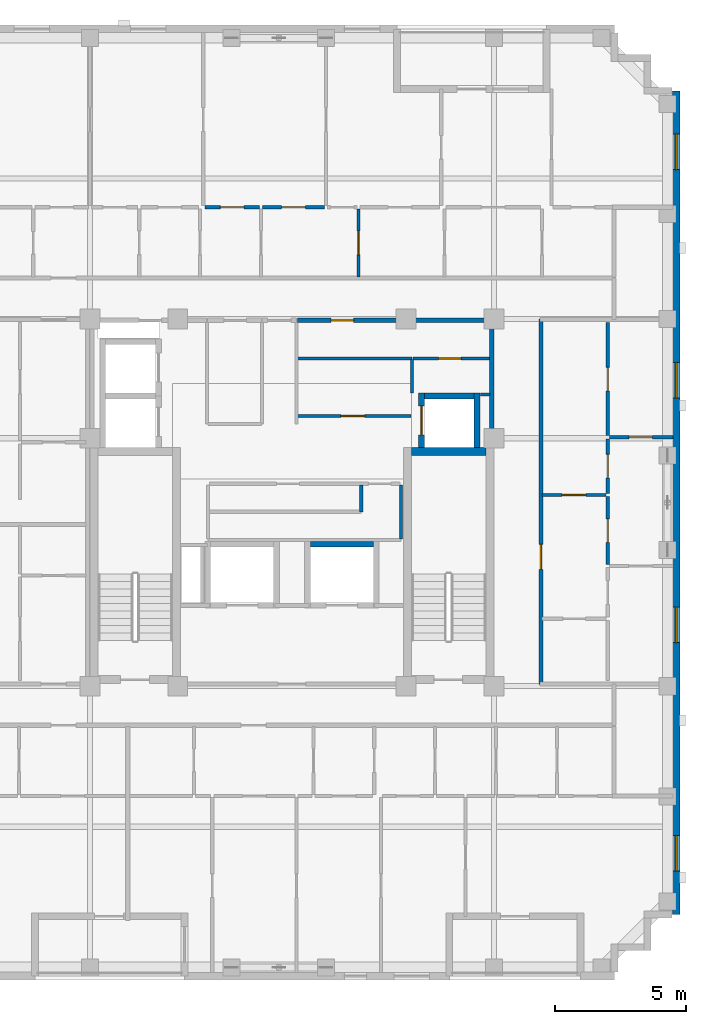
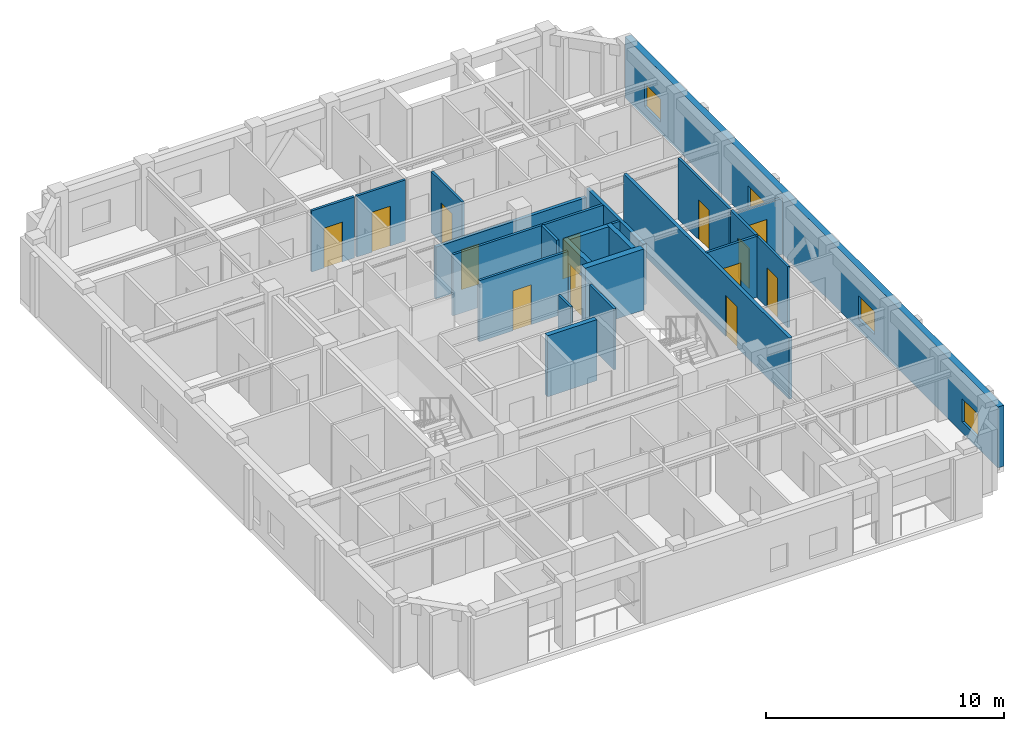
# One storey, part 6 of 11: 24 walls, 13 doors, 4 windows, 17 openings.
"""IFC4 building model written with IfcOpenShell, lengths in metres."""

from ifc_helpers import new_model, si_unit, derived_unit, direction, frame, frame_2d, origin, place, context, subcontext, project, spatial, rectangle, extrude, material, layer, layer_set, type_object, element, fill, save


model = new_model("IFC4")

# Units and contexts
model_context = context("Model", 3, precision=1e-05, world=origin(), true_north=direction((0.0, 1.0)))
body_context = subcontext(model_context, "Body", "Model", "MODEL_VIEW")
ifc_project = project(units=[si_unit("LENGTHUNIT", "METRE"), si_unit("AREAUNIT", "SQUARE_METRE"), si_unit("VOLUMEUNIT", "CUBIC_METRE"), si_unit("PLANEANGLEUNIT", "RADIAN"), si_unit("MASSUNIT", "GRAM", prefix="KILO"), derived_unit("THERMALTRANSMITTANCEUNIT", [(si_unit("MASSUNIT", "GRAM", prefix="KILO"), 1), (si_unit("TIMEUNIT", "SECOND"), -3), (si_unit("THERMODYNAMICTEMPERATUREUNIT", "KELVIN"), -1)])], contexts=[model_context])

# Site, building, storey
site_placement = place(None, origin())
site = spatial("IfcSite", under=ifc_project, at=site_placement, CompositionType="ELEMENT")
building_placement = place(site_placement, origin())
building = spatial("IfcBuilding", under=site, at=building_placement, Name="Korrvale Station Residences", CompositionType="ELEMENT")
storey_placement = place(building_placement, frame((0.0, 0.0, 241.10009765625)))
storey = spatial("IfcBuildingStorey", under=building, at=storey_placement, Name="L70", CompositionType="ELEMENT", Elevation=241.10009765625)

# Wall
ifc_material_1 = material(Name="Concrete C50/60", Category="concrete")
ifc_layer_1 = layer(ifc_material_1, 0.300048828125, Name="Concrete C50/60")
ifc_layer_set_1 = layer_set([ifc_layer_1], Name="Concrete C50/60")
wall_type_1 = type_object("IfcWallType", Name="WAL-CORE-300-C50", PredefinedType="SHEAR", material=ifc_layer_set_1)
wall_1_placement = place(storey_placement, frame((30.050048828125, 23.949951171875, 0.0), z_axis=(0.0, 0.0, 1.0), x_axis=(1.0, 0.0, 0.0)))
element("IfcWall", 1, at=wall_1_placement, inside=storey, type_object=wall_type_1, Name="L70 ST-2 Core Shear Wall North", PredefinedType="SHEAR", context=body_context, shape_type="SweptSolid", body=[
    extrude(rectangle(XDim=2.849853515625, YDim=0.300048828125, at=frame_2d((1.4248046875, 0.0))), origin(), (0.0, 0.0, 1.0), 3.139892578125),
])

# Wall, openings, windows
ifc_material_2 = material(Name="Precast concrete C45/55", Category="concrete")
ifc_layer_2 = layer(ifc_material_2, 0.300048828125, Name="Precast concrete C45/55")
ifc_layer_set_2 = layer_set([ifc_layer_2], Name="Precast concrete C45/55")
wall_type_2 = type_object("IfcWallType", Name="WAL-EXT-PC300", PredefinedType="SOLIDWALL", material=ifc_layer_set_2)
wall_2_placement = place(storey_placement, frame((40.14990234375, 37.699951171875, 0.0), z_axis=(0.0, 0.0, 1.0), x_axis=(0.0, -1.0, 0.0)))
wall_2 = element("IfcWall", 2, at=wall_2_placement, inside=storey, type_object=wall_type_2, Name="L70 East Exterior Precast Wall 1", PredefinedType="SOLIDWALL", context=body_context, shape_type="SweptSolid", body=[
    extrude(rectangle(XDim=31.39990234375, YDim=0.300048828125, at=frame_2d((15.699951171875, 0.0))), origin(), (0.0, 0.0, 1.0), 3.139892578125),
])
opening_1_placement = place(wall_2_placement, frame((28.39599609375, 0.0, 0.550048828125)))
opening_1 = element("IfcOpeningElement", 3, at=opening_1_placement, cuts=wall_2, Name="Opening W-10", PredefinedType="OPENING", context=body_context, shape_type="SweptSolid", body=[
    extrude(rectangle(XDim=1.35009765625, YDim=1.199951171875, at=frame_2d((0.675048828125, 0.60009765625))), frame((0.0, 0.16015625, 0.0), z_axis=(0.0, -1.0, 0.0), x_axis=(1.0, 0.0, 0.0)), (0.0, 0.0, 1.0), 0.320068359375),
])
opening_2_placement = place(wall_2_placement, frame((1.653076171875, 0.0, 0.550048828125)))
opening_2 = element("IfcOpeningElement", 4, at=opening_2_placement, cuts=wall_2, Name="Opening W-10", PredefinedType="OPENING", context=body_context, shape_type="SweptSolid", body=[
    extrude(rectangle(XDim=1.35009765625, YDim=1.199951171875, at=frame_2d((0.675048828125, 0.60009765625))), frame((0.0, 0.16015625, 0.0), z_axis=(0.0, -1.0, 0.0), x_axis=(1.0, 0.0, 0.0)), (0.0, 0.0, 1.0), 0.320068359375),
])
opening_3_placement = place(wall_2_placement, frame((19.68310546875, 0.0, 0.550048828125)))
opening_3 = element("IfcOpeningElement", 5, at=opening_3_placement, cuts=wall_2, Name="Opening W-10", PredefinedType="OPENING", context=body_context, shape_type="SweptSolid", body=[
    extrude(rectangle(XDim=1.35009765625, YDim=1.199951171875, at=frame_2d((0.675048828125, 0.60009765625))), frame((0.0, 0.16015625, 0.0), z_axis=(0.0, -1.0, 0.0), x_axis=(1.0, 0.0, 0.0)), (0.0, 0.0, 1.0), 0.320068359375),
])
opening_4_placement = place(wall_2_placement, frame((10.366943359375, 0.0, 0.550048828125)))
opening_4 = element("IfcOpeningElement", 6, at=opening_4_placement, cuts=wall_2, Name="Opening W-10", PredefinedType="OPENING", context=body_context, shape_type="SweptSolid", body=[
    extrude(rectangle(XDim=1.35009765625, YDim=1.199951171875, at=frame_2d((0.675048828125, 0.60009765625))), frame((0.0, 0.16015625, 0.0), z_axis=(0.0, -1.0, 0.0), x_axis=(1.0, 0.0, 0.0)), (0.0, 0.0, 1.0), 0.320068359375),
])
ifc_material_3 = material(Name="Thermally broken aluminium frame with triple low-e glazing", Category="aluminium")
window_type = type_object("IfcWindowType", Name="WIN-W10", PartitioningType="SINGLE_PANEL", PredefinedType="WINDOW", material=ifc_material_3)
window_1_placement = place(opening_1_placement, origin())
window_1 = element("IfcWindow", 7, at=window_1_placement, inside=storey, type_object=window_type, Name="L70 Punched Window 05", OverallHeight=1.199951171875, OverallWidth=1.35009765625, PartitioningType="SINGLE_PANEL", PredefinedType="WINDOW", context=body_context, shape_type="SweptSolid", body=[
    extrude(rectangle(XDim=1.35009765625, YDim=1.199951171875, at=frame_2d((0.675048828125, 0.60009765625))), frame((0.0, 0.030029296875, 0.0), z_axis=(0.0, -1.0, 0.0), x_axis=(1.0, 0.0, 0.0)), (0.0, 0.0, 1.0), 0.06005859375),
])
fill(opening_1, window_1)
window_2_placement = place(opening_2_placement, origin())
window_2 = element("IfcWindow", 8, at=window_2_placement, inside=storey, type_object=window_type, Name="L70 Punched Window 10", OverallHeight=1.199951171875, OverallWidth=1.35009765625, PartitioningType="SINGLE_PANEL", PredefinedType="WINDOW", context=body_context, shape_type="SweptSolid", body=[
    extrude(rectangle(XDim=1.35009765625, YDim=1.199951171875, at=frame_2d((0.675048828125, 0.60009765625))), frame((0.0, 0.030029296875, 0.0), z_axis=(0.0, -1.0, 0.0), x_axis=(1.0, 0.0, 0.0)), (0.0, 0.0, 1.0), 0.06005859375),
])
fill(opening_2, window_2)
window_3_placement = place(opening_3_placement, origin())
window_3 = element("IfcWindow", 9, at=window_3_placement, inside=storey, type_object=window_type, Name="L70 Punched Window 15", OverallHeight=1.199951171875, OverallWidth=1.35009765625, PartitioningType="SINGLE_PANEL", PredefinedType="WINDOW", context=body_context, shape_type="SweptSolid", body=[
    extrude(rectangle(XDim=1.35009765625, YDim=1.199951171875, at=frame_2d((0.675048828125, 0.60009765625))), frame((0.0, 0.030029296875, 0.0), z_axis=(0.0, -1.0, 0.0), x_axis=(1.0, 0.0, 0.0)), (0.0, 0.0, 1.0), 0.06005859375),
])
fill(opening_3, window_3)
window_4_placement = place(opening_4_placement, origin())
window_4 = element("IfcWindow", 10, at=window_4_placement, inside=storey, type_object=window_type, Name="L70 Punched Window 16", OverallHeight=1.199951171875, OverallWidth=1.35009765625, PartitioningType="SINGLE_PANEL", PredefinedType="WINDOW", context=body_context, shape_type="SweptSolid", body=[
    extrude(rectangle(XDim=1.35009765625, YDim=1.199951171875, at=frame_2d((0.675048828125, 0.60009765625))), frame((0.0, 0.030029296875, 0.0), z_axis=(0.0, -1.0, 0.0), x_axis=(1.0, 0.0, 0.0)), (0.0, 0.0, 1.0), 0.06005859375),
])
fill(opening_4, window_4)

# Walls
ifc_material_4 = material(Name="Acoustic steel-stud gypsum board partition", Category="steel")
ifc_layer_3 = layer(ifc_material_4, 0.1201171875, Name="Acoustic steel-stud gypsum board partition")
ifc_layer_set_3 = layer_set([ifc_layer_3], Name="Acoustic steel-stud gypsum board partition")
wall_type_3 = type_object("IfcWallType", Name="WAL-PART-125", PredefinedType="PARTITIONING", material=ifc_layer_set_3)
wall_3_placement = place(storey_placement, frame((30.080078125, 26.179931640625, 0.0), z_axis=(0.0, 0.0, 1.0), x_axis=(0.0, 1.0, 0.0)))
element("IfcWall", 11, at=wall_3_placement, inside=storey, type_object=wall_type_3, Name="L70 Core Partition CW-CS-W", PredefinedType="PARTITIONING", context=body_context, shape_type="SweptSolid", body=[
    extrude(rectangle(XDim=1.280029296875, YDim=0.1201171875, at=frame_2d((0.64013671875, 0.0))), origin(), (0.0, 0.0, 1.0), 3.139892578125),
])
wall_4_placement = place(storey_placement, frame((32.679931640625, 26.1201171875, 0.0), z_axis=(0.0, 0.0, 1.0), x_axis=(1.0, 0.0, 0.0)))
element("IfcWall", 12, at=wall_4_placement, inside=storey, type_object=wall_type_3, Name="L70 Core Partition CW-CS-S", PredefinedType="PARTITIONING", context=body_context, shape_type="SweptSolid", body=[
    extrude(rectangle(XDim=0.380126953125, YDim=0.1201171875, at=frame_2d((0.18994140625, 0.0))), origin(), (0.0, 0.0, 1.0), 3.139892578125),
])

# Wall, opening, door
wall_5_placement = place(storey_placement, frame((30.1201171875, 27.5, 0.0), z_axis=(0.0, 0.0, 1.0), x_axis=(1.0, 0.0, 0.0)))
wall_5 = element("IfcWall", 13, at=wall_5_placement, inside=storey, type_object=wall_type_3, Name="L70 Core Partition CW-CS-H", PredefinedType="PARTITIONING", context=body_context, shape_type="SweptSolid", body=[
    extrude(rectangle(XDim=2.919921875, YDim=0.1201171875, at=frame_2d((1.4599609375, 0.0))), origin(), (0.0, 0.0, 1.0), 3.139892578125),
])
opening_5_placement = place(wall_5_placement, frame((0.969970703125, 0.0, 0.0)))
opening_5 = element("IfcOpeningElement", 14, at=opening_5_placement, cuts=wall_5, Name="Opening DB-860", PredefinedType="OPENING", context=body_context, shape_type="SweptSolid", body=[
    extrude(rectangle(XDim=0.860107421875, YDim=2.050048828125, at=frame_2d((0.43017578125, 1.02490234375))), frame((0.0, 0.070068359375, 0.0), z_axis=(0.0, -1.0, 0.0), x_axis=(1.0, 0.0, 0.0)), (0.0, 0.0, 1.0), 0.14013671875),
])
ifc_material_5 = material(Name="Moisture-resistant solid-core bathroom door", Category="timber")
door_type_1 = type_object("IfcDoorType", Name="DR-BATH-860", OperationType="NOTDEFINED", PredefinedType="DOOR", material=ifc_material_5)
door_1_placement = place(opening_5_placement, origin())
door_1 = element("IfcDoor", 15, at=door_1_placement, inside=storey, type_object=door_type_1, Name="L70 Mail Sorting Inner Door", OperationType="SINGLE_SWING_LEFT", OverallHeight=2.050048828125, OverallWidth=0.860107421875, PredefinedType="DOOR", context=body_context, shape_type="SweptSolid", body=[
    extrude(rectangle(XDim=0.860107421875, YDim=2.050048828125, at=frame_2d((0.43017578125, 1.02490234375))), frame((0.0, 0.02490234375, 0.0), z_axis=(0.0, -1.0, 0.0), x_axis=(1.0, 0.0, 0.0)), (0.0, 0.0, 1.0), 0.050048828125),
])
fill(opening_5, door_1)

# Wall
wall_6_placement = place(storey_placement, frame((25.719970703125, 27.5, 0.0), z_axis=(0.0, 0.0, 1.0), x_axis=(1.0, 0.0, 0.0)))
element("IfcWall", 16, at=wall_6_placement, inside=storey, type_object=wall_type_3, Name="L70 Core Partition CW-FPLE-H", PredefinedType="PARTITIONING", context=body_context, shape_type="SweptSolid", body=[
    extrude(rectangle(XDim=4.360107421875, YDim=0.1201171875, at=frame_2d((2.18017578125, 0.0))), origin(), (0.0, 0.0, 1.0), 3.139892578125),
])

# Wall, opening, door
wall_7_placement = place(storey_placement, frame((25.719970703125, 25.300048828125, 0.0), z_axis=(0.0, 0.0, 1.0), x_axis=(1.0, 0.0, 0.0)))
wall_7 = element("IfcWall", 17, at=wall_7_placement, inside=storey, type_object=wall_type_3, Name="L70 Core Partition CW-FPLE-S", PredefinedType="PARTITIONING", context=body_context, shape_type="SweptSolid", body=[
    extrude(rectangle(XDim=4.320068359375, YDim=0.1201171875, at=frame_2d((2.16015625, 0.0))), origin(), (0.0, 0.0, 1.0), 3.139892578125),
])
opening_6_placement = place(wall_7_placement, frame((1.64990234375, 0.0, 0.0)))
opening_6 = element("IfcOpeningElement", 18, at=opening_6_placement, cuts=wall_7, Name="Opening DI-900", PredefinedType="OPENING", context=body_context, shape_type="SweptSolid", body=[
    extrude(rectangle(XDim=0.89990234375, YDim=2.050048828125, at=frame_2d((0.449951171875, 1.02490234375))), frame((0.0, 0.070068359375, 0.0), z_axis=(0.0, -1.0, 0.0), x_axis=(1.0, 0.0, 0.0)), (0.0, 0.0, 1.0), 0.14013671875),
])
ifc_material_6 = material(Name="Painted solid-core timber interior room door", Category="wood")
door_type_2 = type_object("IfcDoorType", Name="DR-INT-900", OperationType="NOTDEFINED", PredefinedType="DOOR", material=ifc_material_6)
door_2_placement = place(opening_6_placement, origin())
door_2 = element("IfcDoor", 19, at=door_2_placement, inside=storey, type_object=door_type_2, Name="L70 Housekeeping Linen Door", OperationType="SINGLE_SWING_LEFT", OverallHeight=2.050048828125, OverallWidth=0.89990234375, PredefinedType="DOOR", context=body_context, shape_type="SweptSolid", body=[
    extrude(rectangle(XDim=0.89990234375, YDim=2.050048828125, at=frame_2d((0.449951171875, 1.02490234375))), frame((0.0, 0.02490234375, 0.0), z_axis=(0.0, -1.0, 0.0), x_axis=(1.0, 0.0, 0.0)), (0.0, 0.0, 1.0), 0.050048828125),
])
fill(opening_6, door_2)

# Walls
wall_8_placement = place(storey_placement, frame((29.659912109375, 20.6201171875, 0.0), z_axis=(0.0, 0.0, 1.0), x_axis=(0.0, 1.0, 0.0)))
element("IfcWall", 20, at=wall_8_placement, inside=storey, type_object=wall_type_3, Name="L70 Core Partition CW-FPM-E", PredefinedType="PARTITIONING", context=body_context, shape_type="SweptSolid", body=[
    extrude(rectangle(XDim=2.059814453125, YDim=0.1201171875, at=frame_2d((1.02978515625, 0.0))), origin(), (0.0, 0.0, 1.0), 3.139892578125),
])
wall_9_placement = place(storey_placement, frame((28.139892578125, 21.64990234375, 0.0), z_axis=(0.0, 0.0, 1.0), x_axis=(0.0, 1.0, 0.0)))
element("IfcWall", 21, at=wall_9_placement, inside=storey, type_object=wall_type_3, Name="L70 Core Partition CW-FPM-V1", PredefinedType="PARTITIONING", context=body_context, shape_type="SweptSolid", body=[
    extrude(rectangle(XDim=1.030029296875, YDim=0.1201171875, at=frame_2d((0.51513671875, 0.0))), origin(), (0.0, 0.0, 1.0), 3.139892578125),
])

# Wall, opening, door
wall_10_placement = place(storey_placement, frame((22.179931640625, 33.260009765625, 0.0), z_axis=(0.0, 0.0, 1.0), x_axis=(1.0, 0.0, 0.0)))
wall_10 = element("IfcWall", 22, at=wall_10_placement, inside=storey, type_object=wall_type_3, Name="L70 Suite Partition U03-H310", PredefinedType="PARTITIONING", context=body_context, shape_type="SweptSolid", body=[
    extrude(rectangle(XDim=2.080078125, YDim=0.1201171875, at=frame_2d((1.0400390625, 0.0))), origin(), (0.0, 0.0, 1.0), 3.139892578125),
])
opening_7_placement = place(wall_10_placement, frame((0.590087890625, 0.0, 0.0)))
opening_7 = element("IfcOpeningElement", 23, at=opening_7_placement, cuts=wall_10, Name="Opening DI-900", PredefinedType="OPENING", context=body_context, shape_type="SweptSolid", body=[
    extrude(rectangle(XDim=0.89990234375, YDim=2.050048828125, at=frame_2d((0.449951171875, 1.02490234375))), frame((0.0, 0.070068359375, 0.0), z_axis=(0.0, -1.0, 0.0), x_axis=(1.0, 0.0, 0.0)), (0.0, 0.0, 1.0), 0.14013671875),
])
door_3_placement = place(opening_7_placement, origin())
door_3 = element("IfcDoor", 24, at=door_3_placement, inside=storey, type_object=door_type_2, Name="L70 Apartment 3BR L70-U03 Wardrobe Storage Room Door", OperationType="SINGLE_SWING_LEFT", OverallHeight=2.050048828125, OverallWidth=0.89990234375, PredefinedType="DOOR", context=body_context, shape_type="SweptSolid", body=[
    extrude(rectangle(XDim=0.89990234375, YDim=2.050048828125, at=frame_2d((0.449951171875, 1.02490234375))), frame((0.0, 0.02490234375, 0.0), z_axis=(0.0, -1.0, 0.0), x_axis=(1.0, 0.0, 0.0)), (0.0, 0.0, 1.0), 0.050048828125),
])
fill(opening_7, door_3)

wall_11_placement = place(storey_placement, frame((28.0400390625, 30.60009765625, 0.0), z_axis=(0.0, 0.0, 1.0), x_axis=(0.0, 1.0, 0.0)))
wall_11 = element("IfcWall", 25, at=wall_11_placement, inside=storey, type_object=wall_type_3, Name="L70 Suite Partition U03-V45", PredefinedType="PARTITIONING", context=body_context, shape_type="SweptSolid", body=[
    extrude(rectangle(XDim=2.599853515625, YDim=0.1201171875, at=frame_2d((1.2998046875, 0.0))), origin(), (0.0, 0.0, 1.0), 3.139892578125),
])
opening_8_placement = place(wall_11_placement, frame((0.85009765625, 0.0, 0.0)))
opening_8 = element("IfcOpeningElement", 26, at=opening_8_placement, cuts=wall_11, Name="Opening DI-900", PredefinedType="OPENING", context=body_context, shape_type="SweptSolid", body=[
    extrude(rectangle(XDim=0.89990234375, YDim=2.050048828125, at=frame_2d((0.449951171875, 1.02490234375))), frame((0.0, 0.070068359375, 0.0), z_axis=(0.0, -1.0, 0.0), x_axis=(1.0, 0.0, 0.0)), (0.0, 0.0, 1.0), 0.14013671875),
])
door_4_placement = place(opening_8_placement, origin())
door_4 = element("IfcDoor", 27, at=door_4_placement, inside=storey, type_object=door_type_2, Name="L70 Apartment 3BR L70-U03 Utility and Laundry Room Door", OperationType="SINGLE_SWING_RIGHT", OverallHeight=2.050048828125, OverallWidth=0.89990234375, PredefinedType="DOOR", context=body_context, shape_type="SweptSolid", body=[
    extrude(rectangle(XDim=0.89990234375, YDim=2.050048828125, at=frame_2d((0.449951171875, 1.02490234375))), frame((0.0, 0.02490234375, 0.0), z_axis=(0.0, -1.0, 0.0), x_axis=(1.0, 0.0, 0.0)), (0.0, 0.0, 1.0), 0.050048828125),
])
fill(opening_8, door_4)

wall_12_placement = place(storey_placement, frame((24.3798828125, 33.260009765625, 0.0), z_axis=(0.0, 0.0, 1.0), x_axis=(1.0, 0.0, 0.0)))
wall_12 = element("IfcWall", 28, at=wall_12_placement, inside=storey, type_object=wall_type_3, Name="L70 Suite Partition U03-H410", PredefinedType="PARTITIONING", context=body_context, shape_type="SweptSolid", body=[
    extrude(rectangle(XDim=2.360107421875, YDim=0.1201171875, at=frame_2d((1.18017578125, 0.0))), origin(), (0.0, 0.0, 1.0), 3.139892578125),
])
opening_9_placement = place(wall_12_placement, frame((0.72998046875, 0.0, 0.0)))
opening_9 = element("IfcOpeningElement", 29, at=opening_9_placement, cuts=wall_12, Name="Opening DI-900", PredefinedType="OPENING", context=body_context, shape_type="SweptSolid", body=[
    extrude(rectangle(XDim=0.89990234375, YDim=2.050048828125, at=frame_2d((0.449951171875, 1.02490234375))), frame((0.0, 0.070068359375, 0.0), z_axis=(0.0, -1.0, 0.0), x_axis=(1.0, 0.0, 0.0)), (0.0, 0.0, 1.0), 0.14013671875),
])
door_5_placement = place(opening_9_placement, origin())
door_5 = element("IfcDoor", 30, at=door_5_placement, inside=storey, type_object=door_type_2, Name="L70 Apartment 3BR L70-U03 Utility and Laundry Room Door", OperationType="SINGLE_SWING_LEFT", OverallHeight=2.050048828125, OverallWidth=0.89990234375, PredefinedType="DOOR", context=body_context, shape_type="SweptSolid", body=[
    extrude(rectangle(XDim=0.89990234375, YDim=2.050048828125, at=frame_2d((0.449951171875, 1.02490234375))), frame((0.0, 0.02490234375, 0.0), z_axis=(0.0, -1.0, 0.0), x_axis=(1.0, 0.0, 0.0)), (0.0, 0.0, 1.0), 0.050048828125),
])
fill(opening_9, door_5)

wall_13_placement = place(storey_placement, frame((35.030029296875, 22.2900390625, 0.0), z_axis=(0.0, 0.0, 1.0), x_axis=(1.0, 0.0, 0.0)))
wall_13 = element("IfcWall", 31, at=wall_13_placement, inside=storey, type_object=wall_type_3, Name="L70 Suite Partition U06-H02", PredefinedType="PARTITIONING", context=body_context, shape_type="SweptSolid", body=[
    extrude(rectangle(XDim=2.449951171875, YDim=0.1201171875, at=frame_2d((1.22509765625, 0.0))), origin(), (0.0, 0.0, 1.0), 3.139892578125),
])
opening_10_placement = place(wall_13_placement, frame((0.77490234375, 0.0, 0.0)))
opening_10 = element("IfcOpeningElement", 32, at=opening_10_placement, cuts=wall_13, Name="Opening DI-900", PredefinedType="OPENING", context=body_context, shape_type="SweptSolid", body=[
    extrude(rectangle(XDim=0.89990234375, YDim=2.050048828125, at=frame_2d((0.449951171875, 1.02490234375))), frame((0.0, 0.070068359375, 0.0), z_axis=(0.0, -1.0, 0.0), x_axis=(1.0, 0.0, 0.0)), (0.0, 0.0, 1.0), 0.14013671875),
])
door_6_placement = place(opening_10_placement, origin())
door_6 = element("IfcDoor", 33, at=door_6_placement, inside=storey, type_object=door_type_2, Name="L70 Apartment 2BR L70-U06 Wardrobe Storage Room Door", OperationType="SINGLE_SWING_LEFT", OverallHeight=2.050048828125, OverallWidth=0.89990234375, PredefinedType="DOOR", context=body_context, shape_type="SweptSolid", body=[
    extrude(rectangle(XDim=0.89990234375, YDim=2.050048828125, at=frame_2d((0.449951171875, 1.02490234375))), frame((0.0, 0.02490234375, 0.0), z_axis=(0.0, -1.0, 0.0), x_axis=(1.0, 0.0, 0.0)), (0.0, 0.0, 1.0), 0.050048828125),
])
fill(opening_10, door_6)

wall_14_placement = place(storey_placement, frame((37.5400390625, 22.35009765625, 0.0), z_axis=(0.0, 0.0, 1.0), x_axis=(0.0, 1.0, 0.0)))
wall_14 = element("IfcWall", 34, at=wall_14_placement, inside=storey, type_object=wall_type_3, Name="L70 Suite Partition U06-V04", PredefinedType="PARTITIONING", context=body_context, shape_type="SweptSolid", body=[
    extrude(rectangle(XDim=2.081787109375, YDim=0.1201171875, at=frame_2d((1.041015625, 0.0))), origin(), (0.0, 0.0, 1.0), 3.139892578125),
])
opening_11_placement = place(wall_14_placement, frame((0.591064453125, 0.0, 0.0)))
opening_11 = element("IfcOpeningElement", 35, at=opening_11_placement, cuts=wall_14, Name="Opening DI-900", PredefinedType="OPENING", context=body_context, shape_type="SweptSolid", body=[
    extrude(rectangle(XDim=0.89990234375, YDim=2.050048828125, at=frame_2d((0.449951171875, 1.02490234375))), frame((0.0, 0.070068359375, 0.0), z_axis=(0.0, -1.0, 0.0), x_axis=(1.0, 0.0, 0.0)), (0.0, 0.0, 1.0), 0.14013671875),
])
door_7_placement = place(opening_11_placement, origin())
door_7 = element("IfcDoor", 36, at=door_7_placement, inside=storey, type_object=door_type_2, Name="L70 Apartment 2BR L70-U06 Wardrobe Storage Room Door", OperationType="SINGLE_SWING_RIGHT", OverallHeight=2.050048828125, OverallWidth=0.89990234375, PredefinedType="DOOR", context=body_context, shape_type="SweptSolid", body=[
    extrude(rectangle(XDim=0.89990234375, YDim=2.050048828125, at=frame_2d((0.449951171875, 1.02490234375))), frame((0.0, 0.02490234375, 0.0), z_axis=(0.0, -1.0, 0.0), x_axis=(1.0, 0.0, 0.0)), (0.0, 0.0, 1.0), 0.050048828125),
])
fill(opening_11, door_7)

wall_15_placement = place(storey_placement, frame((37.5400390625, 24.552001953125, 0.0), z_axis=(0.0, 0.0, 1.0), x_axis=(0.0, 1.0, 0.0)))
wall_15 = element("IfcWall", 37, at=wall_15_placement, inside=storey, type_object=wall_type_3, Name="L70 Suite Partition U06-V05", PredefinedType="PARTITIONING", context=body_context, shape_type="SweptSolid", body=[
    extrude(rectangle(XDim=4.30810546875, YDim=0.1201171875, at=frame_2d((2.154052734375, 0.0))), origin(), (0.0, 0.0, 1.0), 3.139892578125),
])
opening_12_placement = place(wall_15_placement, frame((1.7041015625, 0.0, 0.0)))
opening_12 = element("IfcOpeningElement", 38, at=opening_12_placement, cuts=wall_15, Name="Opening DI-900", PredefinedType="OPENING", context=body_context, shape_type="SweptSolid", body=[
    extrude(rectangle(XDim=0.89990234375, YDim=2.050048828125, at=frame_2d((0.449951171875, 1.02490234375))), frame((0.0, 0.070068359375, 0.0), z_axis=(0.0, -1.0, 0.0), x_axis=(1.0, 0.0, 0.0)), (0.0, 0.0, 1.0), 0.14013671875),
])
door_8_placement = place(opening_12_placement, origin())
door_8 = element("IfcDoor", 39, at=door_8_placement, inside=storey, type_object=door_type_2, Name="L70 Apartment 2BR L70-U06 Wardrobe Storage Room Door", OperationType="SINGLE_SWING_LEFT", OverallHeight=2.050048828125, OverallWidth=0.89990234375, PredefinedType="DOOR", context=body_context, shape_type="SweptSolid", body=[
    extrude(rectangle(XDim=0.89990234375, YDim=2.050048828125, at=frame_2d((0.449951171875, 1.02490234375))), frame((0.0, 0.02490234375, 0.0), z_axis=(0.0, -1.0, 0.0), x_axis=(1.0, 0.0, 0.0)), (0.0, 0.0, 1.0), 0.050048828125),
])
fill(opening_12, door_8)

wall_16_placement = place(storey_placement, frame((37.5400390625, 19.637939453125, 0.0), z_axis=(0.0, 0.0, 1.0), x_axis=(0.0, 1.0, 0.0)))
wall_16 = element("IfcWall", 40, at=wall_16_placement, inside=storey, type_object=wall_type_3, Name="L70 Suite Partition U06-V24", PredefinedType="PARTITIONING", context=body_context, shape_type="SweptSolid", body=[
    extrude(rectangle(XDim=2.592041015625, YDim=0.1201171875, at=frame_2d((1.2958984375, 0.0))), origin(), (0.0, 0.0, 1.0), 3.139892578125),
])
opening_13_placement = place(wall_16_placement, frame((0.845947265625, 0.0, 0.0)))
opening_13 = element("IfcOpeningElement", 41, at=opening_13_placement, cuts=wall_16, Name="Opening DI-900", PredefinedType="OPENING", context=body_context, shape_type="SweptSolid", body=[
    extrude(rectangle(XDim=0.89990234375, YDim=2.050048828125, at=frame_2d((0.449951171875, 1.02490234375))), frame((0.0, 0.070068359375, 0.0), z_axis=(0.0, -1.0, 0.0), x_axis=(1.0, 0.0, 0.0)), (0.0, 0.0, 1.0), 0.14013671875),
])
door_9_placement = place(opening_13_placement, origin())
door_9 = element("IfcDoor", 42, at=door_9_placement, inside=storey, type_object=door_type_2, Name="L70 Apartment 2BR L70-U06 Kitchen Door", OperationType="SINGLE_SWING_RIGHT", OverallHeight=2.050048828125, OverallWidth=0.89990234375, PredefinedType="DOOR", context=body_context, shape_type="SweptSolid", body=[
    extrude(rectangle(XDim=0.89990234375, YDim=2.050048828125, at=frame_2d((0.449951171875, 1.02490234375))), frame((0.0, 0.02490234375, 0.0), z_axis=(0.0, -1.0, 0.0), x_axis=(1.0, 0.0, 0.0)), (0.0, 0.0, 1.0), 0.050048828125),
])
fill(opening_13, door_9)

wall_17_placement = place(storey_placement, frame((37.60009765625, 24.491943359375, 0.0), z_axis=(0.0, 0.0, 1.0), x_axis=(1.0, 0.0, 0.0)))
wall_17 = element("IfcWall", 43, at=wall_17_placement, inside=storey, type_object=wall_type_3, Name="L70 Suite Partition U06-H45", PredefinedType="PARTITIONING", context=body_context, shape_type="SweptSolid", body=[
    extrude(rectangle(XDim=2.419921875, YDim=0.1201171875, at=frame_2d((1.2099609375, 0.0))), origin(), (0.0, 0.0, 1.0), 2.8779296875),
])
opening_14_placement = place(wall_17_placement, frame((0.7451171875, 0.0, 0.0)))
opening_14 = element("IfcOpeningElement", 44, at=opening_14_placement, cuts=wall_17, Name="Opening DI-900", PredefinedType="OPENING", context=body_context, shape_type="SweptSolid", body=[
    extrude(rectangle(XDim=0.89990234375, YDim=2.050048828125, at=frame_2d((0.449951171875, 1.02490234375))), frame((0.0, 0.070068359375, 0.0), z_axis=(0.0, -1.0, 0.0), x_axis=(1.0, 0.0, 0.0)), (0.0, 0.0, 1.0), 0.14013671875),
])
door_10_placement = place(opening_14_placement, origin())
door_10 = element("IfcDoor", 45, at=door_10_placement, inside=storey, type_object=door_type_2, Name="L70 Apartment 2BR L70-U06 Living and Dining Room Door", OperationType="SINGLE_SWING_RIGHT", OverallHeight=2.050048828125, OverallWidth=0.89990234375, PredefinedType="DOOR", context=body_context, shape_type="SweptSolid", body=[
    extrude(rectangle(XDim=0.89990234375, YDim=2.050048828125, at=frame_2d((0.449951171875, 1.02490234375))), frame((0.0, 0.02490234375, 0.0), z_axis=(0.0, -1.0, 0.0), x_axis=(1.0, 0.0, 0.0)), (0.0, 0.0, 1.0), 0.050048828125),
])
fill(opening_14, door_10)

# Wall
ifc_material_7 = material(Name="Fire-rated twin-stud gypsum and mineral wool shaftwall assembly", Category="gypsum")
ifc_layer_4 = layer(ifc_material_7, 0.159912109375, Name="Fire-rated twin-stud gypsum and mineral wool shaftwall assembly")
ifc_layer_set_4 = layer_set([ifc_layer_4], Name="Fire-rated twin-stud gypsum and mineral wool shaftwall assembly")
wall_type_4 = type_object("IfcWallType", Name="WAL-PART-200", PredefinedType="PARTITIONING", material=ifc_layer_set_4)
wall_18_placement = place(storey_placement, frame((33.1201171875, 24.1201171875, 0.0), z_axis=(0.0, 0.0, 1.0), x_axis=(0.0, 1.0, 0.0)))
element("IfcWall", 46, at=wall_18_placement, inside=storey, type_object=wall_type_4, Name="L70 Core Partition CW-E-N", PredefinedType="PARTITIONING", context=body_context, shape_type="SweptSolid", body=[
    extrude(rectangle(XDim=4.759765625, YDim=0.159912109375, at=frame_2d((2.3798828125, 0.0))), origin(), (0.0, 0.0, 1.0), 3.139892578125),
])

# Wall, opening, door
wall_19_placement = place(storey_placement, frame((25.719970703125, 28.949951171875, 0.0), z_axis=(0.0, 0.0, 1.0), x_axis=(1.0, 0.0, 0.0)))
wall_19 = element("IfcWall", 47, at=wall_19_placement, inside=storey, type_object=wall_type_4, Name="L70 Core Partition CW-FPLE-N", PredefinedType="PARTITIONING", context=body_context, shape_type="SweptSolid", body=[
    extrude(rectangle(XDim=7.320068359375, YDim=0.159912109375, at=frame_2d((3.66015625, 0.0))), origin(), (0.0, 0.0, 1.0), 2.66796875),
])
opening_15_placement = place(wall_19_placement, frame((1.27001953125, 0.0, 0.0)))
opening_15 = element("IfcOpeningElement", 48, at=opening_15_placement, cuts=wall_19, Name="Opening DB-860", PredefinedType="OPENING", context=body_context, shape_type="SweptSolid", body=[
    extrude(rectangle(XDim=0.860107421875, YDim=2.050048828125, at=frame_2d((0.43017578125, 1.02490234375))), frame((0.0, 0.08984375, 0.0), z_axis=(0.0, -1.0, 0.0), x_axis=(1.0, 0.0, 0.0)), (0.0, 0.0, 1.0), 0.179931640625),
])
door_11_placement = place(opening_15_placement, origin())
door_11 = element("IfcDoor", 49, at=door_11_placement, inside=storey, type_object=door_type_1, Name="L70 Luggage Pantry Door", OperationType="SINGLE_SWING_RIGHT", OverallHeight=2.050048828125, OverallWidth=0.860107421875, PredefinedType="DOOR", context=body_context, shape_type="SweptSolid", body=[
    extrude(rectangle(XDim=0.860107421875, YDim=2.050048828125, at=frame_2d((0.43017578125, 1.02490234375))), frame((0.0, 0.02490234375, 0.0), z_axis=(0.0, -1.0, 0.0), x_axis=(1.0, 0.0, 0.0)), (0.0, 0.0, 1.0), 0.050048828125),
])
fill(opening_15, door_11)

wall_20_placement = place(storey_placement, frame((34.989990234375, 15.070068359375, 0.0), z_axis=(0.0, 0.0, 1.0), x_axis=(0.0, 1.0, 0.0)))
wall_20 = element("IfcWall", 50, at=wall_20_placement, inside=storey, type_object=wall_type_4, Name="L70 Rated Corridor Wall E", PredefinedType="PARTITIONING", context=body_context, shape_type="SweptSolid", body=[
    extrude(rectangle(XDim=13.929931640625, YDim=0.159912109375, at=frame_2d((6.96484375, 0.0))), origin(), (0.0, 0.0, 1.0), 3.139892578125),
])
opening_16_placement = place(wall_20_placement, frame((4.385009765625, 0.0, 0.0)))
opening_16 = element("IfcOpeningElement", 51, at=opening_16_placement, cuts=wall_20, Name="Opening UD-950", PredefinedType="OPENING", context=body_context, shape_type="SweptSolid", body=[
    extrude(rectangle(XDim=0.949951171875, YDim=2.10009765625, at=frame_2d((0.47509765625, 1.050048828125))), frame((0.0, 0.08984375, 0.0), z_axis=(0.0, -1.0, 0.0), x_axis=(1.0, 0.0, 0.0)), (0.0, 0.0, 1.0), 0.179931640625),
])
ifc_material_8 = material(Name="Solid-core acoustic oak apartment entrance door", Category="timber")
door_type_3 = type_object("IfcDoorType", Name="DR-UNIT-950", OperationType="NOTDEFINED", PredefinedType="DOOR", material=ifc_material_8)
door_12_placement = place(opening_16_placement, origin())
door_12 = element("IfcDoor", 52, at=door_12_placement, inside=storey, type_object=door_type_3, Name="L70 Apartment L70-U06 Entrance Door", OperationType="SINGLE_SWING_RIGHT", OverallHeight=2.10009765625, OverallWidth=0.949951171875, PredefinedType="DOOR", context=body_context, shape_type="SweptSolid", body=[
    extrude(rectangle(XDim=0.949951171875, YDim=2.10009765625, at=frame_2d((0.47509765625, 1.050048828125))), frame((0.0, 0.02490234375, 0.0), z_axis=(0.0, -1.0, 0.0), x_axis=(1.0, 0.0, 0.0)), (0.0, 0.0, 1.0), 0.050048828125),
])
fill(opening_16, door_12)

# Wall
ifc_layer_5 = layer(ifc_material_1, 0.219970703125, Name="Concrete C50/60")
ifc_layer_set_5 = layer_set([ifc_layer_5], Name="Concrete C50/60")
wall_type_5 = type_object("IfcWallType", Name="WAL-SHAFT-220-C50", PredefinedType="SHEAR", material=ifc_layer_set_5)
wall_21_placement = place(storey_placement, frame((30.550048828125, 26.06005859375, 0.0), z_axis=(0.0, 0.0, 1.0), x_axis=(1.0, 0.0, 0.0)))
element("IfcWall", 53, at=wall_21_placement, inside=storey, type_object=wall_type_5, Name="L70 Elevator PH-3 Hoistway Wall North", PredefinedType="SHEAR", context=body_context, shape_type="SweptSolid", body=[
    extrude(rectangle(XDim=1.89990234375, YDim=0.219970703125, at=frame_2d((0.949951171875, 0.0))), origin(), (0.0, 0.0, 1.0), 3.139892578125),
])

# Wall, opening, door
wall_22_placement = place(storey_placement, frame((30.43994140625, 24.10009765625, 0.0), z_axis=(0.0, 0.0, 1.0), x_axis=(0.0, 1.0, 0.0)))
wall_22 = element("IfcWall", 54, at=wall_22_placement, inside=storey, type_object=wall_type_5, Name="L70 Elevator PH-3 Hoistway Wall West", PredefinedType="SHEAR", context=body_context, shape_type="SweptSolid", body=[
    extrude(rectangle(XDim=2.06982421875, YDim=0.219970703125, at=frame_2d((1.034912109375, 0.0))), origin(), (0.0, 0.0, 1.0), 3.139892578125),
])
opening_17_placement = place(wall_22_placement, frame((0.485107421875, 0.0, 0.0)))
opening_17 = element("IfcOpeningElement", 55, at=opening_17_placement, cuts=wall_22, Name="Opening LD-1100", PredefinedType="OPENING", context=body_context, shape_type="SweptSolid", body=[
    extrude(rectangle(XDim=1.10009765625, YDim=2.14990234375, at=frame_2d((0.550048828125, 1.074951171875))), frame((0.0, 0.1201171875, 0.0), z_axis=(0.0, -1.0, 0.0), x_axis=(1.0, 0.0, 0.0)), (0.0, 0.0, 1.0), 0.239990234375),
])
ifc_material_9 = material(Name="Brushed stainless-steel elevator landing sliding door", Category="steel")
door_type_4 = type_object("IfcDoorType", Name="DR-LIFT-1100", OperationType="SLIDING_TO_LEFT", PredefinedType="DOOR", material=ifc_material_9)
door_13_placement = place(opening_17_placement, origin())
door_13 = element("IfcDoor", 56, at=door_13_placement, inside=storey, type_object=door_type_4, Name="L70 Elevator PH-3 Sliding Landing Door", OperationType="SLIDING_TO_LEFT", OverallHeight=2.14990234375, OverallWidth=1.10009765625, PredefinedType="DOOR", context=body_context, shape_type="SweptSolid", body=[
    extrude(rectangle(XDim=1.10009765625, YDim=2.14990234375, at=frame_2d((0.550048828125, 1.074951171875))), frame((0.0, 0.02490234375, 0.0), z_axis=(0.0, -1.0, 0.0), x_axis=(1.0, 0.0, 0.0)), (0.0, 0.0, 1.0), 0.050048828125),
])
fill(opening_17, door_13)

# Walls
wall_23_placement = place(storey_placement, frame((32.56005859375, 24.10009765625, 0.0), z_axis=(0.0, 0.0, 1.0), x_axis=(0.0, 1.0, 0.0)))
element("IfcWall", 57, at=wall_23_placement, inside=storey, type_object=wall_type_5, Name="L70 Elevator PH-3 Hoistway Wall East", PredefinedType="SHEAR", context=body_context, shape_type="SweptSolid", body=[
    extrude(rectangle(XDim=2.06982421875, YDim=0.219970703125, at=frame_2d((1.034912109375, 0.0))), origin(), (0.0, 0.0, 1.0), 3.139892578125),
])
wall_24_placement = place(storey_placement, frame((26.199951171875, 20.409912109375, 0.0), z_axis=(0.0, 0.0, 1.0), x_axis=(1.0, 0.0, 0.0)))
element("IfcWall", 58, at=wall_24_placement, inside=storey, type_object=wall_type_5, Name="L70 Elevator FFL-2 Hoistway Wall North", PredefinedType="SHEAR", context=body_context, shape_type="SweptSolid", body=[
    extrude(rectangle(XDim=2.400146484375, YDim=0.219970703125, at=frame_2d((1.2001953125, 0.0))), origin(), (0.0, 0.0, 1.0), 3.139892578125),
])

save(model, "model.ifc")
